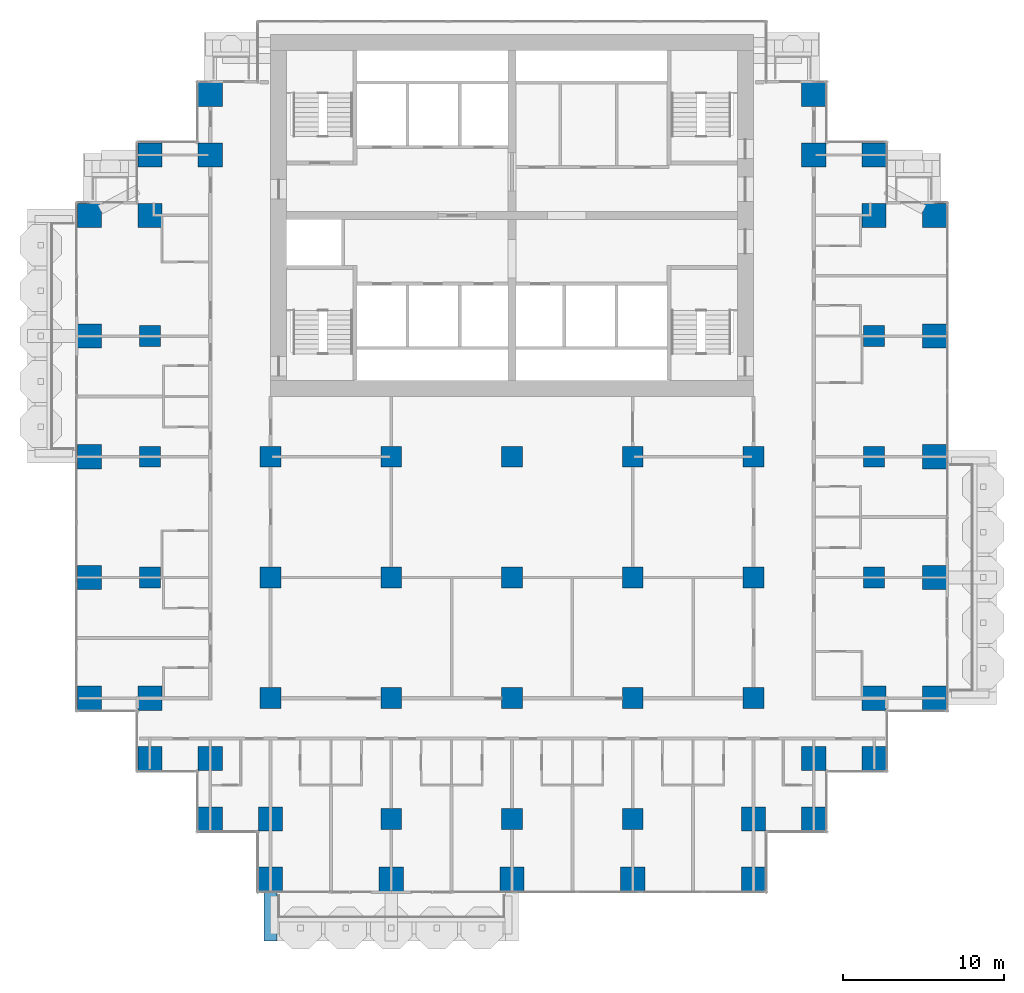
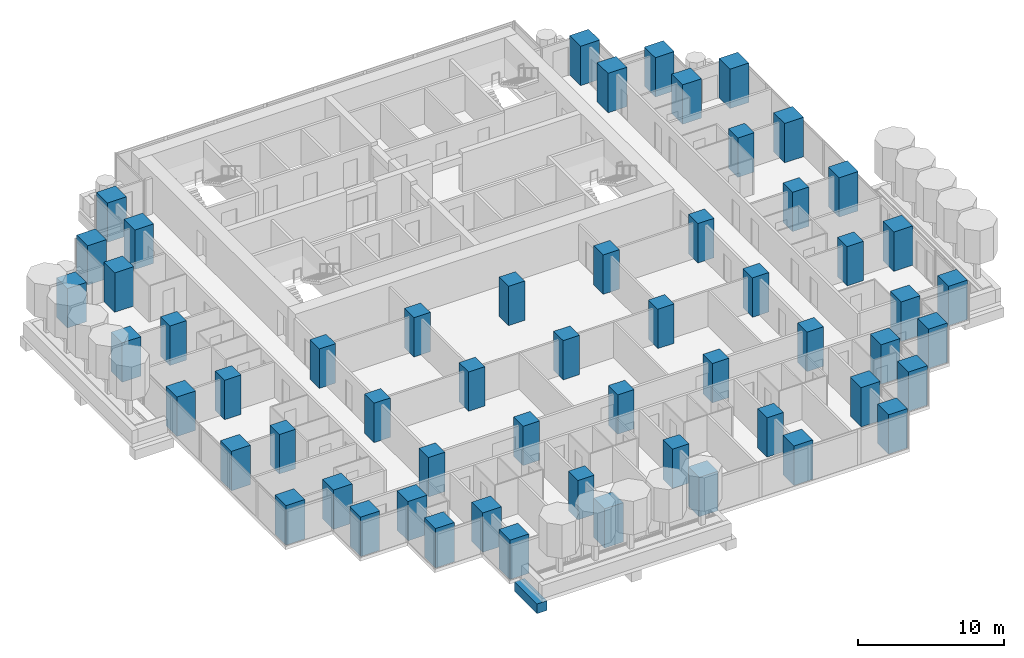
# One storey, part 1 of 19: 57 columns, 1 beam.
"""IFC4 building model written with IfcOpenShell, lengths in metres."""

import ifcopenshell
import ifcopenshell.guid

model = None  # the IFC model being written
_history = None  # IfcOwnerHistory: only IFC2X3 demands one
_inside = {}  # id of a spatial element -> (the spatial element, [elements in it])
_under = {}  # id of a project, library or spatial element -> (it, [spatial elements below it])
_declared = {}  # id of a project -> (the project, [libraries it declares])
_typed = {}  # id of a type object -> (the type object, [elements of that type])
_made_of = {}  # id of a material, layer set ... -> (it, [elements and type objects made of it])


def new_model(schema):
    """Start an empty IFC model of exactly this schema.

    Asked for "IFC4X3", IfcOpenShell would pick the latest addendum, in which some entities
    have other attributes; the version numbers below select the first issue.
    IFC2X3 requires an IfcOwnerHistory on every rooted entity: one is made here for all.
    """
    global model, _history
    if schema == "IFC4X3":
        model = ifcopenshell.file(schema_version=(4, 3, 0, 0))
    else:
        model = ifcopenshell.file(schema=schema)
    _inside.clear()
    _under.clear()
    _declared.clear()
    _typed.clear()
    _made_of.clear()
    _history = None
    if model.schema == "IFC2X3":
        org = make("IfcOrganization", Name="unknown")
        user = make(
            "IfcPersonAndOrganization",
            ThePerson=make("IfcPerson", FamilyName="unknown"),
            TheOrganization=org,
        )
        app = make(
            "IfcApplication",
            ApplicationDeveloper=org,
            Version="unknown",
            ApplicationFullName="unknown",
            ApplicationIdentifier="unknown",
        )
        _history = make(
            "IfcOwnerHistory",
            OwningUser=user,
            OwningApplication=app,
            ChangeAction="ADDED",
            CreationDate=0,
        )
    return model


def make(cls, **values):
    """One entity of the class cls with the attributes given. An attribute that is None is left unset."""
    return model.create_entity(
        cls, **{name: value for name, value in values.items() if value is not None}
    )


def rooted(cls, **values):
    """An entity with a GlobalId (a new one), such as an element, a storey or a relation."""
    return make(cls, GlobalId=ifcopenshell.guid.new(), OwnerHistory=_history, **values)


def si_unit(unit_type, name, prefix=None):
    """IfcSIUnit, for example si_unit("LENGTHUNIT", "METRE", prefix="MILLI")."""
    return make("IfcSIUnit", UnitType=unit_type, Prefix=prefix, Name=name)


def assignment(units):
    """IfcUnitAssignment: the units of a project."""
    return None if units is None else make("IfcUnitAssignment", Units=units)


def point(xyz):
    """IfcCartesianPoint."""
    return None if xyz is None else make("IfcCartesianPoint", Coordinates=xyz)


def direction(xyz):
    """IfcDirection."""
    return None if xyz is None else make("IfcDirection", DirectionRatios=xyz)


def frame(location, z_axis=None, x_axis=None):
    """IfcAxis2Placement3D, a coordinate frame: its origin and axes. An axis left out is left unset."""
    return make(
        "IfcAxis2Placement3D",
        Location=point(location),
        Axis=direction(z_axis),
        RefDirection=direction(x_axis),
    )


def frame_2d(location, x_axis=None):
    """IfcAxis2Placement2D, a coordinate frame in the plane: its origin and x axis."""
    return make(
        "IfcAxis2Placement2D", Location=point(location), RefDirection=direction(x_axis)
    )


def origin():
    """The frame at (0, 0, 0) with its axes left unset."""
    return frame((0.0, 0.0, 0.0))


def origin_2d():
    """The frame at (0, 0) in the plane with its x axis left unset."""
    return frame_2d((0.0, 0.0))


def place(relative_to, where):
    """IfcLocalPlacement: puts the frame where relative to a parent placement (None: the world)."""
    return make(
        "IfcLocalPlacement", PlacementRelTo=relative_to, RelativePlacement=where
    )


def context(
    kind, dimensions, precision=None, world=None, true_north=None, identifier=None
):
    """IfcGeometricRepresentationContext, for example the 3D "Model" context."""
    return make(
        "IfcGeometricRepresentationContext",
        ContextIdentifier=identifier,
        ContextType=kind,
        CoordinateSpaceDimension=dimensions,
        Precision=precision,
        WorldCoordinateSystem=world,
        TrueNorth=true_north,
    )


def subcontext(parent, identifier, kind, view, scale=None):
    """IfcGeometricRepresentationSubContext, for example "Body" below "Model"."""
    return make(
        "IfcGeometricRepresentationSubContext",
        ContextIdentifier=identifier,
        ContextType=kind,
        ParentContext=parent,
        TargetScale=scale,
        TargetView=view,
    )


def project(units=None, contexts=None):
    """IfcProject with its units and contexts."""
    return rooted(
        "IfcProject",
        Name="project",
        RepresentationContexts=contexts,
        UnitsInContext=assignment(units),
    )


def spatial(cls, under=None, at=None, **own):
    """A site, building, storey or space (cls), placed at a placement, below another one or the project."""
    s = rooted(cls, ObjectPlacement=at, **own)
    if under is not None:
        _under.setdefault(under.id(), (under, []))[1].append(s)
    return s


def profile(cls, at=None, kind="AREA", **sizes):
    """A parametric profile (cls). Its sizes go by their IFC names, for example OverallWidth=200.0."""
    return make(cls, ProfileType=kind, Position=at, **sizes)


def rectangle(**sizes):
    """IfcRectangleProfileDef."""
    return profile("IfcRectangleProfileDef", **sizes)


def extrude(swept, where, along, depth):
    """IfcExtrudedAreaSolid: the profile swept, set in the frame where, extruded along a direction by depth."""
    return make(
        "IfcExtrudedAreaSolid",
        SweptArea=swept,
        Position=where,
        ExtrudedDirection=direction(along),
        Depth=depth,
    )


def shape(context_of_items, identifier, shape_type, items):
    """IfcShapeRepresentation: the items that make up one representation, for example the "Body"."""
    return make(
        "IfcShapeRepresentation",
        ContextOfItems=context_of_items,
        RepresentationIdentifier=identifier,
        RepresentationType=shape_type,
        Items=items,
    )


def material(Name=None, Category=None):
    """IfcMaterial."""
    return make("IfcMaterial", Name=Name, Category=Category)


def material_profile(
    of_material, cross_section, Name=None, Category=None, Priority=None
):
    """IfcMaterialProfile: a cross section and its material."""
    return make(
        "IfcMaterialProfile",
        Name=Name,
        Material=of_material,
        Profile=cross_section,
        Priority=Priority,
        Category=Category,
    )


def profile_set(profiles, Name=None, composite=None):
    """IfcMaterialProfileSet."""
    return make(
        "IfcMaterialProfileSet",
        Name=Name,
        MaterialProfiles=profiles,
        CompositeProfile=composite,
    )


def made_of(thing, what):
    """Note that an element or type object is made of a material, layer set ...; save() writes the relation."""
    if what is not None:
        _made_of.setdefault(what.id(), (what, []))[1].append(thing)
    return thing


def type_object(cls, material=None, **own):
    """A type object (cls), such as IfcWallType, which elements share."""
    return made_of(rooted(cls, **own), material)


def element(
    cls,
    number,
    at=None,
    inside=None,
    cuts=None,
    type_object=None,
    material=None,
    context=None,
    identifier="Body",
    shape_type=None,
    held_by="IfcProductDefinitionShape",
    body=None,
    shapes=None,
    **own,
):
    """One element of the class cls, such as IfcWall. Its Tag is "e" and its number.

    at: its placement. inside: the storey or other place that contains it. cuts: it is an
    opening in that element (IfcRelVoidsElement). A single representation is given by context,
    identifier, shape_type and body (its items); several are given by shapes. held_by: the class
    of the entity that holds the representations. save() writes the other relations.
    """
    e = rooted(cls, Tag="e%d" % number, ObjectPlacement=at, **own)
    if body is not None:
        shapes = [shape(context, identifier, shape_type, body)]
    if shapes is not None:
        e.Representation = make(held_by, Representations=shapes)
    if inside is not None:
        _inside.setdefault(inside.id(), (inside, []))[1].append(e)
    if cuts is not None:
        rooted(
            "IfcRelVoidsElement", RelatingBuildingElement=cuts, RelatedOpeningElement=e
        )
    if type_object is not None:
        _typed.setdefault(type_object.id(), (type_object, []))[1].append(e)
    return made_of(e, material)


def aggregate(whole, parts):
    """IfcRelAggregates: a whole, such as a stair, and the parts it consists of."""
    return rooted("IfcRelAggregates", RelatingObject=whole, RelatedObjects=parts)


def save(model, path):
    """Write the relations noted so far, then the file.

    IfcRelAggregates (storeys below a building ...), IfcRelContainedInSpatialStructure (elements
    in a storey), IfcRelDefinesByType, IfcRelAssociatesMaterial and IfcRelDeclares: one each for
    every whole, place, type object, material and project.
    """
    for whole, parts in _under.values():
        aggregate(whole, parts)
    for where, things in _inside.values():
        rooted(
            "IfcRelContainedInSpatialStructure",
            RelatedElements=things,
            RelatingStructure=where,
        )
    for kind, things in _typed.values():
        rooted("IfcRelDefinesByType", RelatedObjects=things, RelatingType=kind)
    for what, things in _made_of.values():
        rooted("IfcRelAssociatesMaterial", RelatedObjects=things, RelatingMaterial=what)
    for by, libraries in _declared.values():
        rooted("IfcRelDeclares", RelatingContext=by, RelatedDefinitions=libraries)
    model.write(path)


model = new_model("IFC4")

# Units and contexts
model_context = context("Model", 3, precision=1e-05, world=origin(), true_north=direction((0.0, 1.0)))
body_context = subcontext(model_context, "Body", "Model", "MODEL_VIEW")
ifc_project = project(units=[si_unit("LENGTHUNIT", "METRE"), si_unit("AREAUNIT", "SQUARE_METRE"), si_unit("VOLUMEUNIT", "CUBIC_METRE"), si_unit("PLANEANGLEUNIT", "RADIAN"), si_unit("MASSUNIT", "GRAM", prefix="KILO")], contexts=[model_context])

# Site, building, storey
site_placement = place(None, origin())
site = spatial("IfcSite", under=ifc_project, at=site_placement, CompositionType="ELEMENT")
building_placement = place(site_placement, origin())
building = spatial("IfcBuilding", under=site, at=building_placement, Name="Pilkhan Gate Tower", CompositionType="ELEMENT")
storey_placement = place(building_placement, frame((0.0, 0.0, 69.199951171875)))
storey = spatial("IfcBuildingStorey", under=building, at=storey_placement, Name="L15", CompositionType="ELEMENT", Elevation=69.199951171875)

# Columns
ifc_material_1 = material(Name="Concrete C70/85", Category="concrete")
ifc_material_profile_1 = material_profile(ifc_material_1, rectangle(XDim=1.300048828125, YDim=1.300048828125, at=origin_2d()), Name="RC 1300x1300")
ifc_profile_set_1 = profile_set([ifc_material_profile_1], Name="Concrete C70/85")
column_type_1 = type_object("IfcColumnType", Name="Column C130 RC 1300x1300 C70/85", PredefinedType="COLUMN", material=ifc_profile_set_1)
for number, where, z_axis, x_axis, name in (
    (1, (52.5, 60.0, 0.0), (0.0, 0.0, 1.0), (1.0, 0.0, 0.0), "Column 5/F L15"),
    (2, (52.5, 67.5, 0.0), (0.0, 0.0, 1.0), (1.0, 0.0, 0.0), "Column 5/H L15"),
    (3, (52.5, 75.0, 0.0), (0.0, 0.0, 1.0), (1.0, 0.0, 0.0), "Column 5/K L15"),
    (4, (60.0, 52.5, 0.0), (0.0, 0.0, 1.0), (1.0, 0.0, 0.0), "Column 7/D L15"),
    (5, (60.0, 60.0, 0.0), (0.0, 0.0, 1.0), (1.0, 0.0, 0.0), "Column 7/F L15"),
    (6, (60.0, 67.5, 0.0), (0.0, 0.0, 1.0), (1.0, 0.0, 0.0), "Column 7/H L15"),
    (7, (67.5, 45.0, 0.0), (0.0, 0.0, 1.0), (1.0, 0.0, 0.0), "Column 9/B L15"),
    (8, (67.5, 52.5, 0.0), (0.0, 0.0, 1.0), (1.0, 0.0, 0.0), "Column 9/D L15"),
    (9, (67.5, 60.0, 0.0), (0.0, 0.0, 1.0), (1.0, 0.0, 0.0), "Column 9/F L15"),
    (10, (67.5, 67.5, 0.0), (0.0, 0.0, 1.0), (1.0, 0.0, 0.0), "Column 9/H L15"),
    (11, (75.0, 45.0, 0.0), (0.0, 0.0, 1.0), (1.0, 0.0, 0.0), "Column 11/B L15"),
    (12, (75.0, 52.5, 0.0), (0.0, 0.0, 1.0), (1.0, 0.0, 0.0), "Column 11/D L15"),
    (13, (75.0, 60.0, 0.0), (0.0, 0.0, 1.0), (1.0, 0.0, 0.0), "Column 11/F L15"),
    (14, (75.0, 67.5, 0.0), (0.0, 0.0, 1.0), (1.0, 0.0, 0.0), "Column 11/H L15"),
    (15, (82.5, 45.0, 0.0), (0.0, 0.0, 1.0), (1.0, 0.0, 0.0), "Column 13/B L15"),
    (16, (82.5, 52.5, 0.0), (0.0, 0.0, 1.0), (1.0, 0.0, 0.0), "Column 13/D L15"),
    (17, (82.5, 60.0, 0.0), (0.0, 0.0, 1.0), (1.0, 0.0, 0.0), "Column 13/F L15"),
    (18, (82.5, 67.5, 0.0), (0.0, 0.0, 1.0), (1.0, 0.0, 0.0), "Column 13/H L15"),
    (19, (90.0, 52.5, 0.0), (0.0, 0.0, 1.0), (1.0, 0.0, 0.0), "Column 15/D L15"),
    (20, (90.0, 60.0, 0.0), (0.0, 0.0, 1.0), (1.0, 0.0, 0.0), "Column 15/F L15"),
    (21, (90.0, 67.5, 0.0), (0.0, 0.0, 1.0), (1.0, 0.0, 0.0), "Column 15/H L15"),
    (22, (97.5, 60.0, 0.0), (0.0, 0.0, 1.0), (1.0, 0.0, 0.0), "Column 17/F L15"),
    (23, (97.5, 67.5, 0.0), (0.0, 0.0, 1.0), (1.0, 0.0, 0.0), "Column 17/H L15"),
    (24, (97.5, 75.0, 0.0), (0.0, 0.0, 1.0), (1.0, 0.0, 0.0), "Column 17/K L15"),
):
    element("IfcColumn", number, at=place(storey_placement, frame(where, z_axis=z_axis, x_axis=x_axis)), inside=storey, type_object=column_type_1, Name=name, PredefinedType="COLUMN", context=body_context, shape_type="SweptSolid", body=[
        extrude(rectangle(XDim=1.300048828125, YDim=1.300048828125, at=origin_2d()), origin(), (0.0, 0.0, 1.0), 3.300048828125),
    ])
ifc_material_profile_2 = material_profile(ifc_material_1, rectangle(XDim=1.5, YDim=1.5, at=origin_2d()), Name="RC 1500x1500")
ifc_profile_set_2 = profile_set([ifc_material_profile_2], Name="Concrete C70/85")
column_type_2 = type_object("IfcColumnType", Name="Column C150 RC 1500x1500 C70/85", PredefinedType="COLUMN", material=ifc_profile_set_2)
for number, where, z_axis, x_axis, name in (
    (25, (48.75, 52.5, 0.0), (0.0, 0.0, 1.0), (1.0, 0.0, 0.0), "Column 4/D L15"),
    (26, (48.75, 60.0, 0.0), (0.0, 0.0, 1.0), (1.0, 0.0, 0.0), "Column 4/F L15"),
    (27, (48.75, 67.5, 0.0), (0.0, 0.0, 1.0), (1.0, 0.0, 0.0), "Column 4/H L15"),
    (28, (48.75, 75.0, 0.0), (0.0, 0.0, 1.0), (1.0, 0.0, 0.0), "Column 4/K L15"),
    (29, (48.75, 82.5, 0.0), (0.0, 0.0, 1.0), (1.0, 0.0, 0.0), "Column 4/M L15"),
    (30, (52.5, 48.75, 0.0), (0.0, 0.0, 1.0), (1.0, 0.0, 0.0), "Column 5/C L15"),
    (31, (52.5, 52.5, 0.0), (0.0, 0.0, 1.0), (1.0, 0.0, 0.0), "Column 5/D L15"),
    (32, (52.5, 82.5, 0.0), (0.0, 0.0, 1.0), (1.0, 0.0, 0.0), "Column 5/M L15"),
    (33, (52.5, 86.25, 0.0), (0.0, 0.0, 1.0), (1.0, 0.0, 0.0), "Column 5/N L15"),
    (34, (56.25, 45.0, 0.0), (0.0, 0.0, 1.0), (1.0, 0.0, 0.0), "Column 6/B L15"),
    (35, (56.25, 48.75, 0.0), (0.0, 0.0, 1.0), (1.0, 0.0, 0.0), "Column 6/C L15"),
    (36, (56.25, 86.25, 0.0), (0.0, 0.0, 1.0), (1.0, 0.0, 0.0), "Column 6/N L15"),
    (37, (56.25, 90.0, 0.0), (0.0, 0.0, 1.0), (1.0, 0.0, 0.0), "Column 6/P L15"),
    (38, (60.0, 41.25, 0.0), (0.0, 0.0, 1.0), (1.0, 0.0, 0.0), "Column 7/A L15"),
    (39, (60.0, 45.0, 0.0), (0.0, 0.0, 1.0), (1.0, 0.0, 0.0), "Column 7/B L15"),
    (40, (67.5, 41.25, 0.0), (0.0, 0.0, 1.0), (1.0, 0.0, 0.0), "Column 9/A L15"),
    (41, (75.0, 41.25, 0.0), (0.0, 0.0, 1.0), (1.0, 0.0, 0.0), "Column 11/A L15"),
    (42, (82.5, 41.25, 0.0), (0.0, 0.0, 1.0), (1.0, 0.0, 0.0), "Column 13/A L15"),
    (43, (90.0, 41.25, 0.0), (0.0, 0.0, 1.0), (1.0, 0.0, 0.0), "Column 15/A L15"),
    (44, (90.0, 45.0, 0.0), (0.0, 0.0, 1.0), (1.0, 0.0, 0.0), "Column 15/B L15"),
    (45, (93.75, 45.0, 0.0), (0.0, 0.0, 1.0), (1.0, 0.0, 0.0), "Column 16/B L15"),
    (46, (93.75, 48.75, 0.0), (0.0, 0.0, 1.0), (1.0, 0.0, 0.0), "Column 16/C L15"),
    (47, (93.75, 86.25, 0.0), (0.0, 0.0, 1.0), (1.0, 0.0, 0.0), "Column 16/N L15"),
    (48, (93.75, 90.0, 0.0), (0.0, 0.0, 1.0), (1.0, 0.0, 0.0), "Column 16/P L15"),
    (49, (97.5, 48.75, 0.0), (0.0, 0.0, 1.0), (1.0, 0.0, 0.0), "Column 17/C L15"),
    (50, (97.5, 52.5, 0.0), (0.0, 0.0, 1.0), (1.0, 0.0, 0.0), "Column 17/D L15"),
    (51, (97.5, 82.5, 0.0), (0.0, 0.0, 1.0), (1.0, 0.0, 0.0), "Column 17/M L15"),
    (52, (97.5, 86.25, 0.0), (0.0, 0.0, 1.0), (1.0, 0.0, 0.0), "Column 17/N L15"),
    (53, (101.25, 52.5, 0.0), (0.0, 0.0, 1.0), (1.0, 0.0, 0.0), "Column 18/D L15"),
    (54, (101.25, 60.0, 0.0), (0.0, 0.0, 1.0), (1.0, 0.0, 0.0), "Column 18/F L15"),
    (55, (101.25, 67.5, 0.0), (0.0, 0.0, 1.0), (1.0, 0.0, 0.0), "Column 18/H L15"),
    (56, (101.25, 75.0, 0.0), (0.0, 0.0, 1.0), (1.0, 0.0, 0.0), "Column 18/K L15"),
    (57, (101.25, 82.5, 0.0), (0.0, 0.0, 1.0), (1.0, 0.0, 0.0), "Column 18/M L15"),
):
    element("IfcColumn", number, at=place(storey_placement, frame(where, z_axis=z_axis, x_axis=x_axis)), inside=storey, type_object=column_type_2, Name=name, PredefinedType="COLUMN", context=body_context, shape_type="SweptSolid", body=[
        extrude(rectangle(XDim=1.5, YDim=1.5, at=origin_2d()), origin(), (0.0, 0.0, 1.0), 3.300048828125),
    ])

# Beam
ifc_material_2 = material(Name="Concrete C50/60", Category="concrete")
ifc_material_profile_3 = material_profile(ifc_material_2, rectangle(XDim=0.800048828125, YDim=0.800048828125, at=origin_2d()), Name="RC 800x800")
ifc_profile_set_3 = profile_set([ifc_material_profile_3], Name="Concrete C50/60")
beam_type = type_object("IfcBeamType", Name="Cantilever beam CB2 RC 800x800 C50/60", PredefinedType="BEAM", material=ifc_profile_set_3)
beam_placement = place(storey_placement, frame((60.0, 40.5, -0.699951171875), z_axis=(0.0, -1.0, 0.0), x_axis=(1.0, 0.0, 0.0)))
element("IfcBeam", 58, at=beam_placement, inside=storey, type_object=beam_type, Name="Balcony beam S.1 L15", PredefinedType="BEAM", context=body_context, shape_type="SweptSolid", body=[
    extrude(rectangle(XDim=0.800048828125, YDim=0.800048828125, at=origin_2d()), origin(), (0.0, 0.0, 1.0), 3.10009765625),
])

save(model, "model.ifc")
